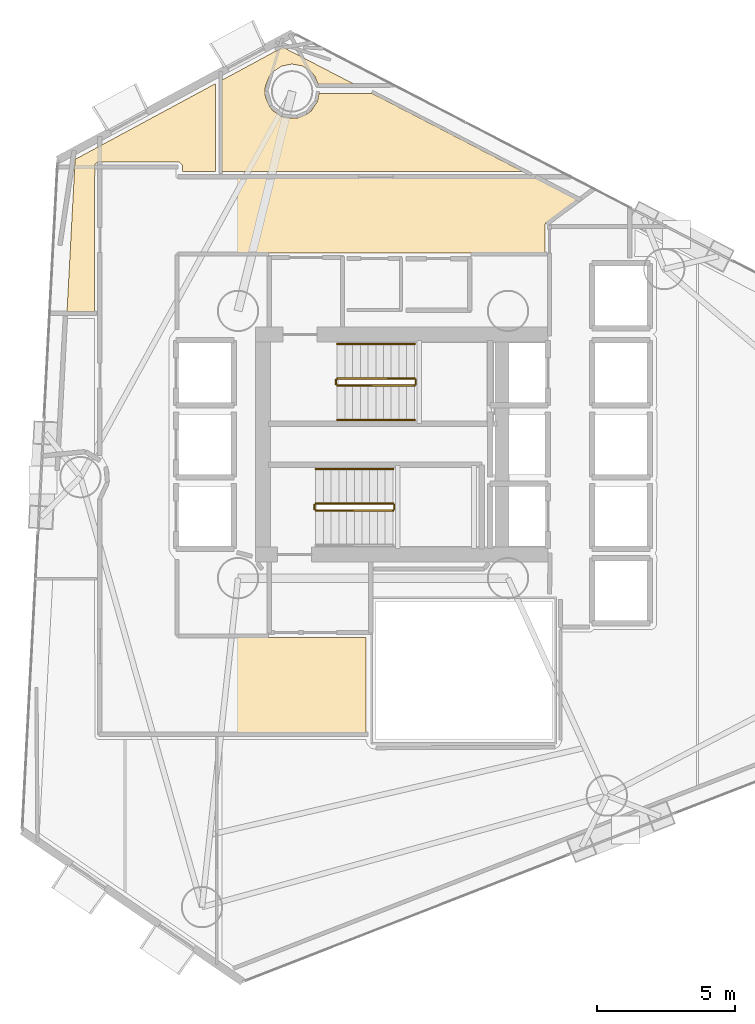
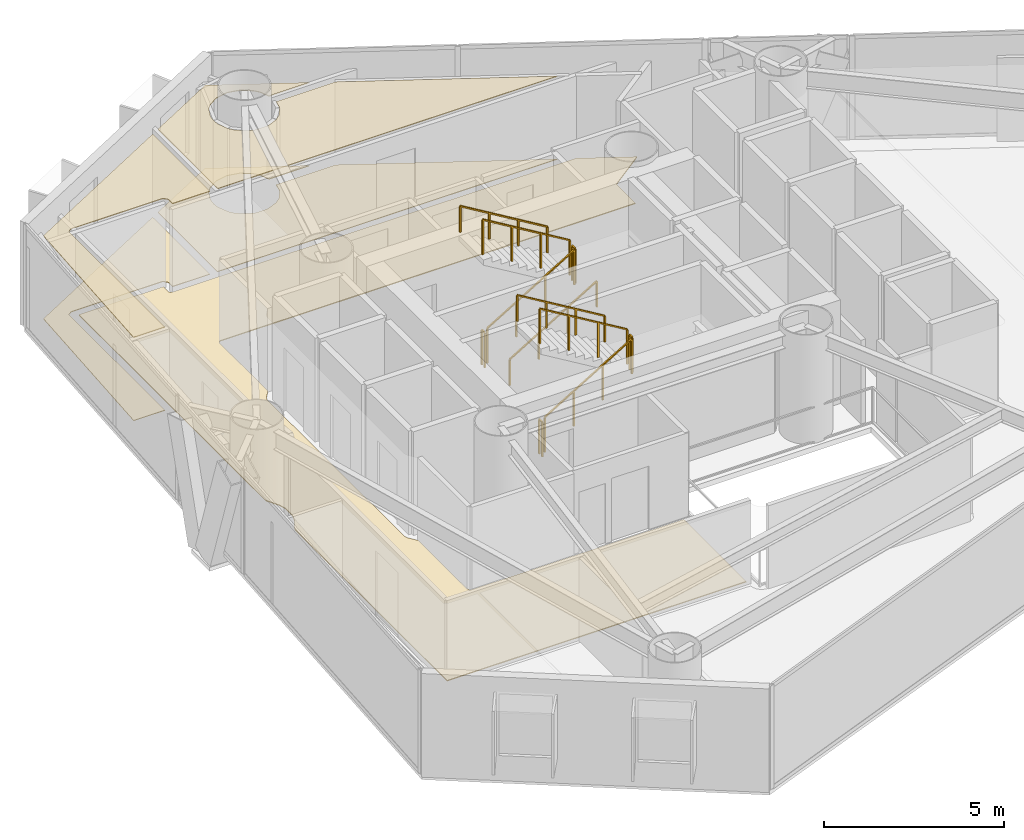
# One storey, part 20 of 21: 11 railings, 5 coverings.
"""IFC4 building model written with IfcOpenShell, lengths in metres."""

from ifc_helpers import new_model, si_unit, direction, frame, origin, origin_2d, place, context, subcontext, project, spatial, polyline, rectangle, outline, extrude, material, layer, layer_set, type_object, element, save


model = new_model("IFC4")

# Units and contexts
model_context = context("Model", 3, precision=1e-05, world=origin(), true_north=direction((0.0, 1.0)))
body_context = subcontext(model_context, "Body", "Model", "MODEL_VIEW")
ifc_project = project(units=[si_unit("LENGTHUNIT", "METRE"), si_unit("AREAUNIT", "SQUARE_METRE"), si_unit("VOLUMEUNIT", "CUBIC_METRE"), si_unit("PLANEANGLEUNIT", "RADIAN"), si_unit("MASSUNIT", "GRAM", prefix="KILO")], contexts=[model_context])

# Site, building, storey
site_placement = place(None, origin())
site = spatial("IfcSite", under=ifc_project, at=site_placement, CompositionType="ELEMENT")
building_placement = place(site_placement, origin())
building = spatial("IfcBuilding", under=site, at=building_placement, Name="Qianvela Tower", CompositionType="ELEMENT")
storey_placement = place(building_placement, frame((0.0, 0.0, 131.10009765625)))
storey = spatial("IfcBuildingStorey", under=building, at=storey_placement, Name="L33", CompositionType="ELEMENT", Elevation=131.10009765625)

# Coverings
ifc_material_1 = material(Name="Perforated Mineral Acoustic Ceiling Tile")
ifc_layer_1 = layer(ifc_material_1, 0.02490234375)
ifc_layer_set_1 = layer_set([ifc_layer_1], Name="Perforated Mineral Acoustic Ceiling Tile")
covering_type_1 = type_object("IfcCoveringType", Name="COV-CEIL-ACOUSTIC-25", PredefinedType="CEILING", material=ifc_layer_set_1)
covering_1_placement = place(storey_placement, frame((0.0, 0.0, 2.81494140625)))
element("IfcCovering", 1, at=covering_1_placement, inside=storey, type_object=covering_type_1, Name="L33 Acoustic Ceiling Social Sitting Lounge L33-03", PredefinedType="CEILING", context=body_context, shape_type="SweptSolid", body=[
    extrude(outline(polyline([(28.02197265625, 41.930908203125), (30.229736328125, 43.1220703125), (32.80908203125, 41.785400390625), (31.5087890625, 41.781982421875), (31.39453125, 42.057373046875), (31.39111328125, 42.064208984375), (31.38720703125, 42.071044921875), (31.382568359375, 42.077392578125), (31.269287109375, 42.215087890625), (31.263916015625, 42.220947265625), (31.25830078125, 42.226318359375), (31.251953125, 42.23095703125), (30.956787109375, 42.42822265625), (30.949951171875, 42.432373046875), (30.94287109375, 42.435546875), (30.935546875, 42.438232421875), (30.927734375, 42.440185546875), (30.57958984375, 42.509521484375), (30.57177734375, 42.510498046875), (30.56396484375, 42.510986328125), (30.55615234375, 42.510498046875), (30.54833984375, 42.509521484375), (30.2001953125, 42.440185546875), (30.1923828125, 42.438232421875), (30.18505859375, 42.435546875), (30.177978515625, 42.432373046875), (30.17138671875, 42.42822265625), (29.876220703125, 42.23095703125), (29.869873046875, 42.226318359375), (29.864013671875, 42.220947265625), (29.858642578125, 42.215087890625), (29.74560546875, 42.077392578125), (29.74072265625, 42.071044921875), (29.73681640625, 42.064208984375), (29.7333984375, 42.05712890625), (29.59765625, 41.72900390625), (29.594970703125, 41.7216796875), (29.593017578125, 41.714111328125), (29.591796875, 41.706298828125), (29.574462890625, 41.52880859375), (29.573974609375, 41.52099609375), (29.574462890625, 41.51318359375), (29.591796875, 41.335693359375), (29.593017578125, 41.327880859375), (29.594970703125, 41.3203125), (29.59765625, 41.31298828125), (29.7333984375, 40.98486328125), (29.73681640625, 40.977783203125), (29.74072265625, 40.970947265625), (29.74560546875, 40.964599609375), (29.858642578125, 40.826904296875), (29.864013671875, 40.821044921875), (29.869873046875, 40.815673828125), (29.876220703125, 40.81103515625), (30.17138671875, 40.61376953125), (30.177978515625, 40.609619140625), (30.18505859375, 40.6064453125), (30.1923828125, 40.603759765625), (30.36328125, 40.552001953125), (30.370849609375, 40.550048828125), (30.378662109375, 40.548828125), (30.386474609375, 40.548583984375), (30.741455078125, 40.548583984375), (30.74951171875, 40.548828125), (30.757080078125, 40.550048828125), (30.764892578125, 40.552001953125), (30.772216796875, 40.5546875), (31.10009765625, 40.6904296875), (31.107421875, 40.69384765625), (31.114013671875, 40.69775390625), (31.120361328125, 40.702392578125), (31.25830078125, 40.815673828125), (31.263916015625, 40.821044921875), (31.269287109375, 40.826904296875), (31.27392578125, 40.8330078125), (31.47119140625, 41.12841796875), (31.475341796875, 41.135009765625), (31.478759765625, 41.14208984375), (31.481201171875, 41.149658203125), (31.483154296875, 41.1572265625), (31.53955078125, 41.442138671875), (33.462158203125, 41.447021484375), (38.936767578125, 38.610107421875), (28.02197265625, 38.610107421875), (28.02197265625, 41.930908203125)])), origin(), (0.0, 0.0, 1.0), 0.02490234375),
])
covering_2_placement = place(storey_placement, frame((0.0, 0.0, 2.81494140625)))
element("IfcCovering", 2, at=covering_2_placement, inside=storey, type_object=covering_type_1, Name="L33 Acoustic Ceiling Social Galley Kitchen L33-04", PredefinedType="CEILING", context=body_context, shape_type="SweptSolid", body=[
    extrude(outline(polyline([(27.778076171875, 41.79931640625), (27.778076171875, 38.610107421875), (26.57958984375, 38.610107421875), (26.57861328125, 38.81591796875), (26.577880859375, 38.82421875), (26.57666015625, 38.83251953125), (26.574462890625, 38.840576171875), (26.571533203125, 38.84814453125), (26.567626953125, 38.855712890625), (26.563232421875, 38.862548828125), (26.55810546875, 38.868896484375), (26.55224609375, 38.875), (26.481689453125, 38.93896484375), (26.47509765625, 38.944091796875), (26.468017578125, 38.94873046875), (26.46044921875, 38.95263671875), (26.45263671875, 38.955810546875), (26.444580078125, 38.957763671875), (26.436279296875, 38.959228515625), (26.427978515625, 38.959716796875), (23.550048828125, 38.9599609375), (23.542724609375, 38.959716796875), (23.53564453125, 38.958740234375), (23.52880859375, 38.95703125), (23.521728515625, 38.954833984375), (23.51513671875, 38.951904296875), (23.5087890625, 38.948486328125), (23.438232421875, 38.90625), (23.431396484375, 38.901611328125), (23.42529296875, 38.896484375), (23.41943359375, 38.890625), (23.414306640625, 38.884033203125), (23.409912109375, 38.877197265625), (23.40625, 38.869873046875), (23.4033203125, 38.8623046875), (23.401123046875, 38.854248046875), (23.39990234375, 38.84619140625), (23.3994140625, 38.837890625), (23.39013671875, 33.52197265625), (22.39111328125, 33.52197265625), (22.684814453125, 39.051513671875), (27.778076171875, 41.79931640625)])), origin(), (0.0, 0.0, 1.0), 0.02490234375),
])
ifc_material_2 = material(Name="Engineered Acoustic Oak Timber Flooring", Category="wood")
ifc_layer_2 = layer(ifc_material_2, 0.02001953125)
ifc_layer_set_2 = layer_set([ifc_layer_2], Name="Engineered Acoustic Oak Timber Flooring")
covering_type_2 = type_object("IfcCoveringType", Name="COV-FLOOR-OAK-20", PredefinedType="FLOORING", material=ifc_layer_set_2)
covering_3_placement = place(storey_placement, origin())
element("IfcCovering", 3, at=covering_3_placement, inside=storey, type_object=covering_type_2, Name="L33 Finish Flooring Social Sitting Lounge L33-03", PredefinedType="FLOORING", context=body_context, shape_type="SweptSolid", body=[
    extrude(outline(polyline([(28.02197265625, 41.930908203125), (30.229736328125, 43.1220703125), (32.80908203125, 41.785400390625), (31.5087890625, 41.781982421875), (31.39453125, 42.057373046875), (31.39111328125, 42.064208984375), (31.38720703125, 42.071044921875), (31.382568359375, 42.077392578125), (31.269287109375, 42.215087890625), (31.263916015625, 42.220947265625), (31.25830078125, 42.226318359375), (31.251953125, 42.23095703125), (30.956787109375, 42.42822265625), (30.949951171875, 42.432373046875), (30.94287109375, 42.435546875), (30.935546875, 42.438232421875), (30.927734375, 42.440185546875), (30.57958984375, 42.509521484375), (30.57177734375, 42.510498046875), (30.56396484375, 42.510986328125), (30.55615234375, 42.510498046875), (30.54833984375, 42.509521484375), (30.2001953125, 42.440185546875), (30.1923828125, 42.438232421875), (30.18505859375, 42.435546875), (30.177978515625, 42.432373046875), (30.17138671875, 42.42822265625), (29.876220703125, 42.23095703125), (29.869873046875, 42.226318359375), (29.864013671875, 42.220947265625), (29.858642578125, 42.215087890625), (29.74560546875, 42.077392578125), (29.74072265625, 42.071044921875), (29.73681640625, 42.064208984375), (29.7333984375, 42.05712890625), (29.59765625, 41.72900390625), (29.594970703125, 41.7216796875), (29.593017578125, 41.714111328125), (29.591796875, 41.706298828125), (29.574462890625, 41.52880859375), (29.573974609375, 41.52099609375), (29.574462890625, 41.51318359375), (29.591796875, 41.335693359375), (29.593017578125, 41.327880859375), (29.594970703125, 41.3203125), (29.59765625, 41.31298828125), (29.7333984375, 40.98486328125), (29.73681640625, 40.977783203125), (29.74072265625, 40.970947265625), (29.74560546875, 40.964599609375), (29.858642578125, 40.826904296875), (29.864013671875, 40.821044921875), (29.869873046875, 40.815673828125), (29.876220703125, 40.81103515625), (30.17138671875, 40.61376953125), (30.177978515625, 40.609619140625), (30.18505859375, 40.6064453125), (30.1923828125, 40.603759765625), (30.36328125, 40.552001953125), (30.370849609375, 40.550048828125), (30.378662109375, 40.548828125), (30.386474609375, 40.548583984375), (30.741455078125, 40.548583984375), (30.74951171875, 40.548828125), (30.757080078125, 40.550048828125), (30.764892578125, 40.552001953125), (30.772216796875, 40.5546875), (31.10009765625, 40.6904296875), (31.107421875, 40.69384765625), (31.114013671875, 40.69775390625), (31.120361328125, 40.702392578125), (31.25830078125, 40.815673828125), (31.263916015625, 40.821044921875), (31.269287109375, 40.826904296875), (31.27392578125, 40.8330078125), (31.47119140625, 41.12841796875), (31.475341796875, 41.135009765625), (31.478759765625, 41.14208984375), (31.481201171875, 41.149658203125), (31.483154296875, 41.1572265625), (31.53955078125, 41.442138671875), (33.462158203125, 41.447021484375), (38.936767578125, 38.610107421875), (28.02197265625, 38.610107421875), (28.02197265625, 41.930908203125)])), origin(), (0.0, 0.0, 1.0), 0.02001953125),
])
covering_4_placement = place(storey_placement, origin())
element("IfcCovering", 4, at=covering_4_placement, inside=storey, type_object=covering_type_2, Name="L33 Finish Flooring Social Galley Kitchen L33-04", PredefinedType="FLOORING", context=body_context, shape_type="SweptSolid", body=[
    extrude(outline(polyline([(27.778076171875, 41.79931640625), (27.778076171875, 38.610107421875), (26.57958984375, 38.610107421875), (26.57861328125, 38.81591796875), (26.577880859375, 38.82421875), (26.57666015625, 38.83251953125), (26.574462890625, 38.840576171875), (26.571533203125, 38.84814453125), (26.567626953125, 38.855712890625), (26.563232421875, 38.862548828125), (26.55810546875, 38.868896484375), (26.55224609375, 38.875), (26.481689453125, 38.93896484375), (26.47509765625, 38.944091796875), (26.468017578125, 38.94873046875), (26.46044921875, 38.95263671875), (26.45263671875, 38.955810546875), (26.444580078125, 38.957763671875), (26.436279296875, 38.959228515625), (26.427978515625, 38.959716796875), (23.550048828125, 38.9599609375), (23.542724609375, 38.959716796875), (23.53564453125, 38.958740234375), (23.52880859375, 38.95703125), (23.521728515625, 38.954833984375), (23.51513671875, 38.951904296875), (23.5087890625, 38.948486328125), (23.438232421875, 38.90625), (23.431396484375, 38.901611328125), (23.42529296875, 38.896484375), (23.41943359375, 38.890625), (23.414306640625, 38.884033203125), (23.409912109375, 38.877197265625), (23.40625, 38.869873046875), (23.4033203125, 38.8623046875), (23.401123046875, 38.854248046875), (23.39990234375, 38.84619140625), (23.3994140625, 38.837890625), (23.39013671875, 33.52197265625), (22.39111328125, 33.52197265625), (22.684814453125, 39.051513671875), (27.778076171875, 41.79931640625)])), origin(), (0.0, 0.0, 1.0), 0.02001953125),
])
ifc_material_3 = material(Name="Honed Stone Terrazzo Flooring", Category="masonry")
ifc_layer_3 = layer(ifc_material_3, 0.030029296875)
ifc_layer_set_3 = layer_set([ifc_layer_3], Name="Honed Stone Terrazzo Flooring")
covering_type_3 = type_object("IfcCoveringType", Name="COV-FLOOR-TERRAZZO-30", PredefinedType="FLOORING", material=ifc_layer_set_3)
covering_5_placement = place(storey_placement, origin())
element("IfcCovering", 5, at=covering_5_placement, inside=storey, type_object=covering_type_3, Name="L33 Finish Flooring L33 Floor Corridor", PredefinedType="FLOORING", context=body_context, shape_type="SweptSolid", body=[
    extrude(outline(polyline([(23.8505859375, 27.910400390625), (23.84814453125, 27.917724609375), (23.8447265625, 27.9248046875), (23.6298828125, 28.32666015625), (23.6298828125, 38.719970703125), (26.340087890625, 38.719970703125), (26.340087890625, 38.449951171875), (26.34033203125, 38.442138671875), (26.341552734375, 38.434326171875), (26.343505859375, 38.4267578125), (26.34619140625, 38.41943359375), (26.349365234375, 38.412353515625), (26.353515625, 38.405517578125), (26.358154296875, 38.399169921875), (26.36328125, 38.393310546875), (26.369140625, 38.38818359375), (26.37548828125, 38.383544921875), (26.38232421875, 38.37939453125), (26.389404296875, 38.376220703125), (26.396728515625, 38.373291015625), (26.404296875, 38.37158203125), (26.412109375, 38.370361328125), (26.419921875, 38.3701171875), (39.39990234375, 38.3701171875), (40.90771484375, 37.588623046875), (39.780517578125, 36.74853515625), (39.7744140625, 36.743408203125), (39.7685546875, 36.737548828125), (39.763427734375, 36.731201171875), (39.759033203125, 36.724365234375), (39.75537109375, 36.717041015625), (39.75244140625, 36.709228515625), (39.750244140625, 36.701416015625), (39.748779296875, 36.693359375), (39.74853515625, 36.685302734375), (39.73876953125, 35.659912109375), (26.419921875, 35.659912109375), (26.412109375, 35.65966796875), (26.404296875, 35.658447265625), (26.396728515625, 35.656494140625), (26.389404296875, 35.65380859375), (26.38232421875, 35.650634765625), (26.37548828125, 35.646484375), (26.369140625, 35.641845703125), (26.36328125, 35.63671875), (26.358154296875, 35.630859375), (26.353515625, 35.62451171875), (26.349365234375, 35.61767578125), (26.34619140625, 35.610595703125), (26.343505859375, 35.603271484375), (26.341552734375, 35.595703125), (26.34033203125, 35.587890625), (26.340087890625, 35.580078125), (26.340087890625, 32.89599609375), (26.139404296875, 32.62548828125), (26.135498046875, 32.61962890625), (26.132080078125, 32.61376953125), (26.12939453125, 32.607421875), (26.126953125, 32.60107421875), (26.103515625, 32.523193359375), (26.1015625, 32.515625), (26.100341796875, 32.5078125), (26.10009765625, 32.5), (26.10009765625, 24.89990234375), (26.100341796875, 24.89208984375), (26.1015625, 24.884521484375), (26.103515625, 24.876708984375), (26.126953125, 24.799072265625), (26.12939453125, 24.79248046875), (26.132080078125, 24.786376953125), (26.135498046875, 24.7802734375), (26.139404296875, 24.774658203125), (26.340087890625, 24.50390625), (26.340087890625, 21.780029296875), (26.34033203125, 21.772216796875), (26.341552734375, 21.764404296875), (26.343505859375, 21.7568359375), (26.34619140625, 21.74951171875), (26.349365234375, 21.7421875), (26.353515625, 21.735595703125), (26.358154296875, 21.729248046875), (26.36328125, 21.723388671875), (26.369140625, 21.71826171875), (26.37548828125, 21.71337890625), (26.38232421875, 21.70947265625), (26.389404296875, 21.7060546875), (26.396728515625, 21.703369140625), (26.404296875, 21.701416015625), (26.412109375, 21.700439453125), (26.419921875, 21.699951171875), (33.239990234375, 21.699951171875), (33.239990234375, 18.22998046875), (23.6298828125, 18.22998046875), (23.6298828125, 26.705322265625), (23.8447265625, 27.107177734375), (23.84814453125, 27.1142578125), (23.8505859375, 27.12158203125), (23.906005859375, 27.303466796875), (23.90771484375, 27.311279296875), (23.908935546875, 27.31884765625), (23.909423828125, 27.326904296875), (23.909423828125, 27.705078125), (23.908935546875, 27.713134765625), (23.90771484375, 27.720703125), (23.906005859375, 27.728515625), (23.8505859375, 27.910400390625)])), origin(), (0.0, 0.0, 1.0), 0.02978515625),
])

# Railings
ifc_material_4 = material(Name="Painted Tubular Steel Q355B", Category="steel")
railing_type_1 = type_object("IfcRailingType", Name="RL-STAIR-GUARD-1200", PredefinedType="GUARDRAIL", material=ifc_material_4)
railing_1_placement = place(storey_placement, frame((32.199951171875, 30.840087890625, 0.16796875)))
element("IfcRailing", 6, at=railing_1_placement, inside=storey, type_object=railing_type_1, Name="L33 ST-1 stair guard 1", PredefinedType="GUARDRAIL", context=body_context, shape_type="SweptSolid", body=[
    extrude(rectangle(XDim=0.050048828125, YDim=0.0400390625, at=origin_2d()), frame((0.0, 0.0, 1.179931640625), z_axis=(0.857242210791, 0.0, 0.514913383045), x_axis=(0.0, 1.0, 0.0)), (0.0, 0.0, 1.0), 3.266357421875),
    extrude(rectangle(XDim=0.050048828125, YDim=0.050048828125, at=origin_2d()), origin(), (0.0, 0.0, 1.0), 1.159912109375),
    extrude(rectangle(XDim=0.050048828125, YDim=0.050048828125, at=origin_2d()), frame((0.933349609375, 0.0, 0.560546875)), (0.0, 0.0, 1.0), 1.159912109375),
    extrude(rectangle(XDim=0.050048828125, YDim=0.050048828125, at=origin_2d()), frame((1.86669921875, 0.0, 1.121337890625)), (0.0, 0.0, 1.0), 1.159912109375),
    extrude(rectangle(XDim=0.050048828125, YDim=0.050048828125, at=origin_2d()), frame((2.800048828125, 0.0, 1.681884765625)), (0.0, 0.0, 1.0), 1.159912109375),
])
railing_2_placement = place(storey_placement, frame((35.050048828125, 30.889892578125, 1.849853515625)))
element("IfcRailing", 7, at=railing_2_placement, inside=storey, type_object=railing_type_1, Name="L33 ST-1 stair guard 2", PredefinedType="GUARDRAIL", context=body_context, shape_type="SweptSolid", body=[
    extrude(rectangle(XDim=0.050048828125, YDim=0.0400390625, at=origin_2d()), frame((0.0, 0.0, 1.179931640625), z_axis=(0.0, 1.0, 0.0), x_axis=(-1.0, 0.0, 0.0)), (0.0, 0.0, 1.0), 0.16015625),
    extrude(rectangle(XDim=0.050048828125, YDim=0.050048828125, at=origin_2d()), origin(), (0.0, 0.0, 1.0), 1.159912109375),
    extrude(rectangle(XDim=0.050048828125, YDim=0.050048828125, at=origin_2d()), frame((0.0, 0.16015625, 0.0)), (0.0, 0.0, 1.0), 1.159912109375),
])
railing_3_placement = place(storey_placement, frame((35.0, 31.10009765625, 2.01806640625)))
element("IfcRailing", 8, at=railing_3_placement, inside=storey, type_object=railing_type_1, Name="L33 ST-1 stair guard 3", PredefinedType="GUARDRAIL", context=body_context, shape_type="SweptSolid", body=[
    extrude(rectangle(XDim=0.050048828125, YDim=0.0400390625, at=origin_2d()), frame((0.0, 0.0, 1.179931640625), z_axis=(-0.857242210791, 0.0, 0.514913383045), x_axis=(0.0, -1.0, 0.0)), (0.0, 0.0, 1.0), 3.266357421875),
    extrude(rectangle(XDim=0.050048828125, YDim=0.050048828125, at=origin_2d()), origin(), (0.0, 0.0, 1.0), 1.159912109375),
    extrude(rectangle(XDim=0.050048828125, YDim=0.050048828125, at=origin_2d()), frame((-0.933349609375, 0.0, 0.560546875)), (0.0, 0.0, 1.0), 1.159912109375),
    extrude(rectangle(XDim=0.050048828125, YDim=0.050048828125, at=origin_2d()), frame((-1.86669921875, 0.0, 1.121337890625)), (0.0, 0.0, 1.0), 1.159912109375),
    extrude(rectangle(XDim=0.050048828125, YDim=0.050048828125, at=origin_2d()), frame((-2.800048828125, 0.0, 1.681884765625)), (0.0, 0.0, 1.0), 1.159912109375),
])
railing_4_placement = place(storey_placement, frame((32.14990234375, 30.889892578125, 0.0)))
element("IfcRailing", 9, at=railing_4_placement, inside=storey, type_object=railing_type_1, Name="L33 ST-1 stair guard 4", PredefinedType="GUARDRAIL", context=body_context, shape_type="SweptSolid", body=[
    extrude(rectangle(XDim=0.050048828125, YDim=0.0400390625, at=origin_2d()), frame((0.0, 0.0, 1.179931640625), z_axis=(0.0, 1.0, 0.0), x_axis=(-1.0, 0.0, 0.0)), (0.0, 0.0, 1.0), 0.16015625),
    extrude(rectangle(XDim=0.050048828125, YDim=0.050048828125, at=origin_2d()), origin(), (0.0, 0.0, 1.0), 1.159912109375),
    extrude(rectangle(XDim=0.050048828125, YDim=0.050048828125, at=origin_2d()), frame((0.0, 0.16015625, 0.0)), (0.0, 0.0, 1.0), 1.159912109375),
])
railing_5_placement = place(storey_placement, frame((31.419921875, 26.300048828125, 0.16796875)))
element("IfcRailing", 10, at=railing_5_placement, inside=storey, type_object=railing_type_1, Name="L33 ST-2 stair guard 1", PredefinedType="GUARDRAIL", context=body_context, shape_type="SweptSolid", body=[
    extrude(rectangle(XDim=0.050048828125, YDim=0.0400390625, at=origin_2d()), frame((0.0, 0.0, 1.179931640625), z_axis=(0.857242210791, 0.0, 0.514913383045), x_axis=(0.0, 1.0, 0.0)), (0.0, 0.0, 1.0), 3.266357421875),
    extrude(rectangle(XDim=0.050048828125, YDim=0.050048828125, at=origin_2d()), origin(), (0.0, 0.0, 1.0), 1.159912109375),
    extrude(rectangle(XDim=0.050048828125, YDim=0.050048828125, at=origin_2d()), frame((0.933349609375, 0.0, 0.560546875)), (0.0, 0.0, 1.0), 1.159912109375),
    extrude(rectangle(XDim=0.050048828125, YDim=0.050048828125, at=origin_2d()), frame((1.86669921875, 0.0, 1.121337890625)), (0.0, 0.0, 1.0), 1.159912109375),
    extrude(rectangle(XDim=0.050048828125, YDim=0.050048828125, at=origin_2d()), frame((2.800048828125, 0.0, 1.681884765625)), (0.0, 0.0, 1.0), 1.159912109375),
])
railing_6_placement = place(storey_placement, frame((34.27001953125, 26.35009765625, 1.849853515625)))
element("IfcRailing", 11, at=railing_6_placement, inside=storey, type_object=railing_type_1, Name="L33 ST-2 stair guard 2", PredefinedType="GUARDRAIL", context=body_context, shape_type="SweptSolid", body=[
    extrude(rectangle(XDim=0.050048828125, YDim=0.0400390625, at=origin_2d()), frame((0.0, 0.0, 1.179931640625), z_axis=(0.0, 1.0, 0.0), x_axis=(-1.0, 0.0, 0.0)), (0.0, 0.0, 1.0), 0.159912109375),
    extrude(rectangle(XDim=0.050048828125, YDim=0.050048828125, at=origin_2d()), origin(), (0.0, 0.0, 1.0), 1.159912109375),
    extrude(rectangle(XDim=0.050048828125, YDim=0.050048828125, at=origin_2d()), frame((0.0, 0.159912109375, 0.0)), (0.0, 0.0, 1.0), 1.159912109375),
])
railing_7_placement = place(storey_placement, frame((34.219970703125, 26.56005859375, 2.01806640625)))
element("IfcRailing", 12, at=railing_7_placement, inside=storey, type_object=railing_type_1, Name="L33 ST-2 stair guard 3", PredefinedType="GUARDRAIL", context=body_context, shape_type="SweptSolid", body=[
    extrude(rectangle(XDim=0.050048828125, YDim=0.0400390625, at=origin_2d()), frame((0.0, 0.0, 1.179931640625), z_axis=(-0.857242210791, 0.0, 0.514913383045), x_axis=(0.0, -1.0, 0.0)), (0.0, 0.0, 1.0), 3.266357421875),
    extrude(rectangle(XDim=0.050048828125, YDim=0.050048828125, at=origin_2d()), origin(), (0.0, 0.0, 1.0), 1.159912109375),
    extrude(rectangle(XDim=0.050048828125, YDim=0.050048828125, at=origin_2d()), frame((-0.933349609375, 0.0, 0.560546875)), (0.0, 0.0, 1.0), 1.159912109375),
    extrude(rectangle(XDim=0.050048828125, YDim=0.050048828125, at=origin_2d()), frame((-1.86669921875, 0.0, 1.121337890625)), (0.0, 0.0, 1.0), 1.159912109375),
    extrude(rectangle(XDim=0.050048828125, YDim=0.050048828125, at=origin_2d()), frame((-2.800048828125, 0.0, 1.681884765625)), (0.0, 0.0, 1.0), 1.159912109375),
])
railing_8_placement = place(storey_placement, frame((31.3701171875, 26.35009765625, 0.0)))
element("IfcRailing", 13, at=railing_8_placement, inside=storey, type_object=railing_type_1, Name="L33 ST-2 stair guard 4", PredefinedType="GUARDRAIL", context=body_context, shape_type="SweptSolid", body=[
    extrude(rectangle(XDim=0.050048828125, YDim=0.0400390625, at=origin_2d()), frame((0.0, 0.0, 1.179931640625), z_axis=(0.0, 1.0, 0.0), x_axis=(-1.0, 0.0, 0.0)), (0.0, 0.0, 1.0), 0.159912109375),
    extrude(rectangle(XDim=0.050048828125, YDim=0.050048828125, at=origin_2d()), origin(), (0.0, 0.0, 1.0), 1.159912109375),
    extrude(rectangle(XDim=0.050048828125, YDim=0.050048828125, at=origin_2d()), frame((0.0, 0.159912109375, 0.0)), (0.0, 0.0, 1.0), 1.159912109375),
])
ifc_material_5 = material(Name="Brushed Stainless Steel 304", Category="steel")
railing_type_2 = type_object("IfcRailingType", Name="RL-STAIR-HANDRAIL-900", PredefinedType="HANDRAIL", material=ifc_material_5)
railing_9_placement = place(storey_placement, frame((32.199951171875, 29.590087890625, 0.16796875)))
element("IfcRailing", 14, at=railing_9_placement, inside=storey, type_object=railing_type_2, Name="L33 ST-1 stair handrail 1", PredefinedType="HANDRAIL", context=body_context, shape_type="SweptSolid", body=[
    extrude(rectangle(XDim=0.050048828125, YDim=0.0400390625, at=origin_2d()), frame((0.0, 0.0, 0.8798828125), z_axis=(0.857242210791, 0.0, 0.514913383045), x_axis=(0.0, 1.0, 0.0)), (0.0, 0.0, 1.0), 3.266357421875),
    extrude(rectangle(XDim=0.050048828125, YDim=0.050048828125, at=origin_2d()), origin(), (0.0, 0.0, 1.0), 0.85986328125),
    extrude(rectangle(XDim=0.050048828125, YDim=0.050048828125, at=origin_2d()), frame((0.933349609375, 0.0, 0.560546875)), (0.0, 0.0, 1.0), 0.85986328125),
    extrude(rectangle(XDim=0.050048828125, YDim=0.050048828125, at=origin_2d()), frame((1.86669921875, 0.0, 1.121337890625)), (0.0, 0.0, 1.0), 0.85986328125),
    extrude(rectangle(XDim=0.050048828125, YDim=0.050048828125, at=origin_2d()), frame((2.800048828125, 0.0, 1.681884765625)), (0.0, 0.0, 1.0), 0.85986328125),
])
for number, where, name in (
    (15, (35.0, 32.35009765625, 2.01806640625), "L33 ST-1 stair handrail 2"),
    (16, (34.219970703125, 27.81005859375, 2.01806640625), "L33 ST-2 stair handrail 2"),
):
    element("IfcRailing", number, at=place(storey_placement, frame(where)), inside=storey, type_object=railing_type_2, Name=name, PredefinedType="HANDRAIL", context=body_context, shape_type="SweptSolid", body=[
        extrude(rectangle(XDim=0.050048828125, YDim=0.0400390625, at=origin_2d()), frame((0.0, 0.0, 0.8798828125), z_axis=(-0.857242210791, 0.0, 0.514913383045), x_axis=(0.0, -1.0, 0.0)), (0.0, 0.0, 1.0), 3.266357421875),
        extrude(rectangle(XDim=0.050048828125, YDim=0.050048828125, at=origin_2d()), origin(), (0.0, 0.0, 1.0), 0.85986328125),
        extrude(rectangle(XDim=0.050048828125, YDim=0.050048828125, at=origin_2d()), frame((-0.933349609375, 0.0, 0.560546875)), (0.0, 0.0, 1.0), 0.85986328125),
        extrude(rectangle(XDim=0.050048828125, YDim=0.050048828125, at=origin_2d()), frame((-1.86669921875, 0.0, 1.121337890625)), (0.0, 0.0, 1.0), 0.85986328125),
        extrude(rectangle(XDim=0.050048828125, YDim=0.050048828125, at=origin_2d()), frame((-2.800048828125, 0.0, 1.681884765625)), (0.0, 0.0, 1.0), 0.85986328125),
    ])

save(model, "model.ifc")
